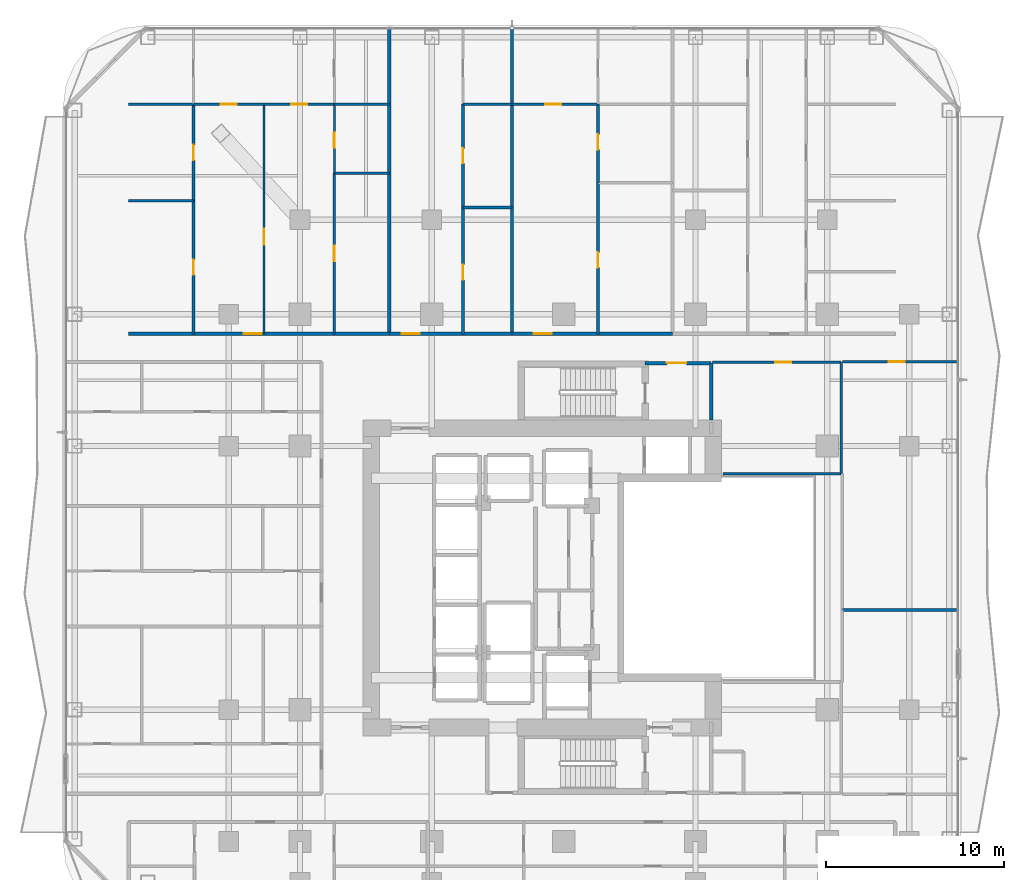
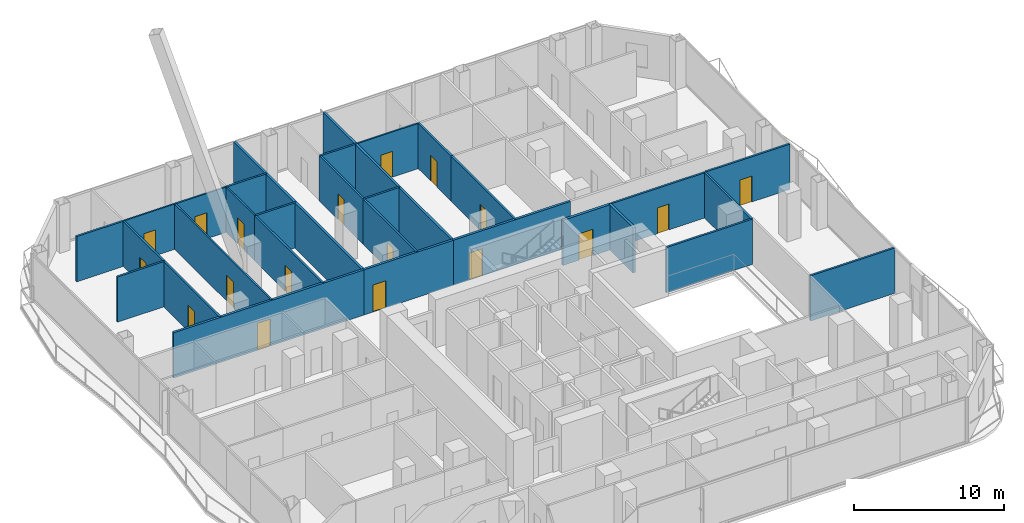
# One storey, part 22 of 28: 30 walls, 18 doors, 18 openings.
"""IFC4 building model written with IfcOpenShell, lengths in metres."""

from ifc_helpers import new_model, si_unit, direction, frame, frame_2d, origin, place, context, subcontext, project, spatial, rectangle, extrude, material, layer, layer_set, type_object, element, fill, save


model = new_model("IFC4")

# Units and contexts
model_context = context("Model", 3, precision=1e-05, world=origin(), true_north=direction((0.0, 1.0)))
body_context = subcontext(model_context, "Body", "Model", "MODEL_VIEW")
ifc_project = project(units=[si_unit("LENGTHUNIT", "METRE"), si_unit("AREAUNIT", "SQUARE_METRE"), si_unit("VOLUMEUNIT", "CUBIC_METRE"), si_unit("PLANEANGLEUNIT", "RADIAN"), si_unit("MASSUNIT", "GRAM", prefix="KILO")], contexts=[model_context])

# Site, building, storey
site_placement = place(None, origin())
site = spatial("IfcSite", under=ifc_project, at=site_placement, CompositionType="ELEMENT")
building_placement = place(site_placement, origin())
building = spatial("IfcBuilding", under=site, at=building_placement, Name="Khorvyn Point Tower", CompositionType="ELEMENT")
storey_placement = place(building_placement, frame((0.0, 0.0, 89.10009765625)))
storey = spatial("IfcBuildingStorey", under=building, at=storey_placement, Name="L22", CompositionType="ELEMENT", Elevation=89.10009765625)

# Wall, opening, door
ifc_material_1 = material(Name="Double acoustic gypsum on twin steel stud", Category="steel")
ifc_layer_1 = layer(ifc_material_1, 0.179931640625)
ifc_layer_set_1 = layer_set([ifc_layer_1], Name="Acoustic Double-Stud Apartment Demising Wall 180")
wall_type_1 = type_object("IfcWallType", Name="Acoustic Double-Stud Apartment Demising Wall 180", PredefinedType="PARTITIONING", material=ifc_layer_set_1)
wall_1_placement = place(storey_placement, frame((-24.419921875, 13.699951171875, 0.0), z_axis=(0.0, 0.0, 1.0), x_axis=(1.0, 0.0, 0.0)))
wall_1 = element("IfcWall", 1, at=wall_1_placement, inside=storey, type_object=wall_type_1, Name="Wall", PredefinedType="PARTITIONING", context=body_context, shape_type="SweptSolid", body=[
    extrude(rectangle(XDim=14.634033203125, YDim=0.179931640625, at=frame_2d((7.31689453125, 0.0))), origin(), (0.0, 0.0, 1.0), 3.679931640625),
])
opening_1_placement = place(wall_1_placement, frame((6.457275390625, 0.0, 0.0)))
opening_1 = element("IfcOpeningElement", 2, at=opening_1_placement, cuts=wall_1, Name="Opening ID-AP60", PredefinedType="OPENING", context=body_context, shape_type="SweptSolid", body=[
    extrude(rectangle(XDim=1.0, YDim=2.199951171875, at=frame_2d((0.5, 1.10009765625))), frame((0.0, 0.099853515625, 0.0), z_axis=(0.0, -1.0, 0.0), x_axis=(1.0, 0.0, 0.0)), (0.0, 0.0, 1.0), 0.199951171875),
])
ifc_material_2 = material(Name="Engineered hardwood fire-rated leaf", Category="wood")
door_type_1 = type_object("IfcDoorType", Name="Acoustic Solid-Core Timber Apartment Entrance Door 1000x2200", OperationType="NOTDEFINED", PredefinedType="DOOR", material=ifc_material_2)
door_1_placement = place(opening_1_placement, origin())
door_1 = element("IfcDoor", 3, at=door_1_placement, inside=storey, type_object=door_type_1, Name="Door", OperationType="SINGLE_SWING_RIGHT", OverallHeight=2.199951171875, OverallWidth=1.0, PredefinedType="DOOR", context=body_context, shape_type="SweptSolid", body=[
    extrude(rectangle(XDim=1.0, YDim=2.199951171875, at=frame_2d((0.5, 1.10009765625))), frame((0.0, 0.02490234375, 0.0), z_axis=(0.0, -1.0, 0.0), x_axis=(1.0, 0.0, 0.0)), (0.0, 0.0, 1.0), 0.050048828125),
])
fill(opening_1, door_1)

wall_2_placement = place(storey_placement, frame((-9.785888671875, 13.699951171875, 0.0), z_axis=(0.0, 0.0, 1.0), x_axis=(1.0, 0.0, 0.0)))
wall_2 = element("IfcWall", 4, at=wall_2_placement, inside=storey, type_object=wall_type_1, Name="Wall", PredefinedType="PARTITIONING", context=body_context, shape_type="SweptSolid", body=[
    extrude(rectangle(XDim=6.885986328125, YDim=0.179931640625, at=frame_2d((3.44287109375, 0.0))), origin(), (0.0, 0.0, 1.0), 3.679931640625),
])
opening_2_placement = place(wall_2_placement, frame((0.698486328125, 0.0, 0.0)))
opening_2 = element("IfcOpeningElement", 5, at=opening_2_placement, cuts=wall_2, Name="Opening ID-AP60", PredefinedType="OPENING", context=body_context, shape_type="SweptSolid", body=[
    extrude(rectangle(XDim=1.0, YDim=2.199951171875, at=frame_2d((0.5, 1.10009765625))), frame((0.0, 0.099853515625, 0.0), z_axis=(0.0, -1.0, 0.0), x_axis=(1.0, 0.0, 0.0)), (0.0, 0.0, 1.0), 0.199951171875),
])
door_2_placement = place(opening_2_placement, origin())
door_2 = element("IfcDoor", 6, at=door_2_placement, inside=storey, type_object=door_type_1, Name="Door", OperationType="SINGLE_SWING_RIGHT", OverallHeight=2.199951171875, OverallWidth=1.0, PredefinedType="DOOR", context=body_context, shape_type="SweptSolid", body=[
    extrude(rectangle(XDim=1.0, YDim=2.199951171875, at=frame_2d((0.5, 1.10009765625))), frame((0.0, 0.02490234375, 0.0), z_axis=(0.0, -1.0, 0.0), x_axis=(1.0, 0.0, 0.0)), (0.0, 0.0, 1.0), 0.050048828125),
])
fill(opening_2, door_2)

wall_3_placement = place(storey_placement, frame((-2.89990234375, 13.699951171875, 0.0), z_axis=(0.0, 0.0, 1.0), x_axis=(1.0, 0.0, 0.0)))
wall_3 = element("IfcWall", 7, at=wall_3_placement, inside=storey, type_object=wall_type_1, Name="Wall", PredefinedType="PARTITIONING", context=body_context, shape_type="SweptSolid", body=[
    extrude(rectangle(XDim=9.016845703125, YDim=0.179931640625, at=frame_2d((4.50830078125, 0.0))), origin(), (0.0, 0.0, 1.0), 3.679931640625),
])
opening_3_placement = place(wall_3_placement, frame((1.23388671875, 0.0, 0.0)))
opening_3 = element("IfcOpeningElement", 8, at=opening_3_placement, cuts=wall_3, Name="Opening ID-AP60", PredefinedType="OPENING", context=body_context, shape_type="SweptSolid", body=[
    extrude(rectangle(XDim=1.0, YDim=2.199951171875, at=frame_2d((0.5, 1.10009765625))), frame((0.0, 0.099853515625, 0.0), z_axis=(0.0, -1.0, 0.0), x_axis=(1.0, 0.0, 0.0)), (0.0, 0.0, 1.0), 0.199951171875),
])
door_3_placement = place(opening_3_placement, origin())
door_3 = element("IfcDoor", 9, at=door_3_placement, inside=storey, type_object=door_type_1, Name="Door", OperationType="SINGLE_SWING_RIGHT", OverallHeight=2.199951171875, OverallWidth=1.0, PredefinedType="DOOR", context=body_context, shape_type="SweptSolid", body=[
    extrude(rectangle(XDim=1.0, YDim=2.199951171875, at=frame_2d((0.5, 1.10009765625))), frame((0.0, 0.02490234375, 0.0), z_axis=(0.0, -1.0, 0.0), x_axis=(1.0, 0.0, 0.0)), (0.0, 0.0, 1.0), 0.050048828125),
])
fill(opening_3, door_3)

# Walls
for number, where, z_axis, x_axis, name in (
    (10, (-9.785888671875, 13.699951171875, 0.0), (0.0, 0.0, 1.0), (0.0, 1.0, 0.0), "Wall"),
    (11, (-2.89990234375, 13.699951171875, 0.0), (0.0, 0.0, 1.0), (0.0, 1.0, 0.0), "Wall"),
):
    element("IfcWall", number, at=place(storey_placement, frame(where, z_axis=z_axis, x_axis=x_axis)), inside=storey, type_object=wall_type_1, Name=name, PredefinedType="PARTITIONING", context=body_context, shape_type="SweptSolid", body=[
        extrude(rectangle(XDim=17.130126953125, YDim=0.179931640625, at=frame_2d((8.56494140625, 0.0))), origin(), (0.0, 0.0, 1.0), 3.679931640625),
    ])

# Wall, opening, door
ifc_material_3 = material(Name="Concrete C40/50", Category="concrete")
ifc_layer_2 = layer(ifc_material_3, 0.199951171875)
ifc_layer_set_2 = layer_set([ifc_layer_2], Name="Concrete C40/50 Fire-Lobby Compartment Wall 200")
wall_type_2 = type_object("IfcWallType", Name="Concrete C40/50 Fire-Lobby Compartment Wall 200", PredefinedType="SOLIDWALL", material=ifc_layer_set_2)
wall_4_placement = place(storey_placement, frame((4.580078125, 12.06005859375, 0.0), z_axis=(0.0, 0.0, 1.0), x_axis=(1.0, 0.0, 0.0)))
wall_4 = element("IfcWall", 12, at=wall_4_placement, inside=storey, type_object=wall_type_2, Name="Wall", PredefinedType="SOLIDWALL", context=body_context, shape_type="SweptSolid", body=[
    extrude(rectangle(XDim=3.699951171875, YDim=0.199951171875, at=frame_2d((1.85009765625, 0.0))), origin(), (0.0, 0.0, 1.0), 3.679931640625),
])
opening_4_placement = place(wall_4_placement, frame((1.21240234375, 0.0, 0.0)))
opening_4 = element("IfcOpeningElement", 13, at=opening_4_placement, cuts=wall_4, Name="Opening ID-FL90", PredefinedType="OPENING", context=body_context, shape_type="SweptSolid", body=[
    extrude(rectangle(XDim=1.10009765625, YDim=2.14990234375, at=frame_2d((0.550048828125, 1.074951171875))), frame((0.0, 0.10986328125, 0.0), z_axis=(0.0, -1.0, 0.0), x_axis=(1.0, 0.0, 0.0)), (0.0, 0.0, 1.0), 0.219970703125),
])
ifc_material_4 = material(Name="Galvanised powder-coated steel", Category="steel")
door_type_2 = type_object("IfcDoorType", Name="Fire-Rated Steel Lobby and Stair Door 1100x2150", OperationType="NOTDEFINED", PredefinedType="DOOR", material=ifc_material_4)
door_4_placement = place(opening_4_placement, origin())
door_4 = element("IfcDoor", 14, at=door_4_placement, inside=storey, type_object=door_type_2, Name="Door", OperationType="SINGLE_SWING_LEFT", OverallHeight=2.14990234375, OverallWidth=1.10009765625, PredefinedType="DOOR", context=body_context, shape_type="SweptSolid", body=[
    extrude(rectangle(XDim=1.10009765625, YDim=2.14990234375, at=frame_2d((0.550048828125, 1.074951171875))), frame((0.0, 0.02490234375, 0.0), z_axis=(0.0, -1.0, 0.0), x_axis=(1.0, 0.0, 0.0)), (0.0, 0.0, 1.0), 0.050048828125),
])
fill(opening_4, door_4)

# Wall
wall_5_placement = place(storey_placement, frame((8.280029296875, 8.875, 0.0), z_axis=(0.0, 0.0, 1.0), x_axis=(0.0, 1.0, 0.0)))
element("IfcWall", 15, at=wall_5_placement, inside=storey, type_object=wall_type_2, Name="Wall", PredefinedType="SOLIDWALL", context=body_context, shape_type="SweptSolid", body=[
    extrude(rectangle(XDim=3.18505859375, YDim=0.199951171875, at=frame_2d((1.592529296875, 0.0))), origin(), (0.0, 0.0, 1.0), 3.679931640625),
])

# Wall, opening, door
ifc_material_5 = material(Name="Gypsum plasterboard on steel stud", Category="steel")
ifc_layer_3 = layer(ifc_material_5, 0.1201171875)
ifc_layer_set_3 = layer_set([ifc_layer_3], Name="Gypsum Acoustic Stud Room Partition Wall 120")
wall_type_3 = type_object("IfcWallType", Name="Gypsum Acoustic Stud Room Partition Wall 120", PredefinedType="PARTITIONING", material=ifc_layer_set_3)
wall_6_placement = place(storey_placement, frame((-20.779052734375, 26.590087890625, 0.0), z_axis=(0.0, 0.0, 1.0), x_axis=(1.0, 0.0, 0.0)))
wall_6 = element("IfcWall", 16, at=wall_6_placement, inside=storey, type_object=wall_type_3, Name="Wall", PredefinedType="PARTITIONING", context=body_context, shape_type="SweptSolid", body=[
    extrude(rectangle(XDim=3.953125, YDim=0.1201171875, at=frame_2d((1.9765625, 0.0))), origin(), (0.0, 0.0, 1.0), 3.679931640625),
])
opening_5_placement = place(wall_6_placement, frame((1.526611328125, 0.0, 0.0)))
opening_5 = element("IfcOpeningElement", 17, at=opening_5_placement, cuts=wall_6, Name="Opening ID-RM90", PredefinedType="OPENING", context=body_context, shape_type="SweptSolid", body=[
    extrude(rectangle(XDim=0.89990234375, YDim=2.10009765625, at=frame_2d((0.449951171875, 1.050048828125))), frame((0.0, 0.070068359375, 0.0), z_axis=(0.0, -1.0, 0.0), x_axis=(1.0, 0.0, 0.0)), (0.0, 0.0, 1.0), 0.14013671875),
])
ifc_material_6 = material(Name="Engineered oak veneer timber", Category="wood")
door_type_3 = type_object("IfcDoorType", Name="Flush Engineered Timber Room Door 900x2100", OperationType="NOTDEFINED", PredefinedType="DOOR", material=ifc_material_6)
door_5_placement = place(opening_5_placement, origin())
door_5 = element("IfcDoor", 18, at=door_5_placement, inside=storey, type_object=door_type_3, Name="Door", OperationType="SINGLE_SWING_LEFT", OverallHeight=2.10009765625, OverallWidth=0.89990234375, PredefinedType="DOOR", context=body_context, shape_type="SweptSolid", body=[
    extrude(rectangle(XDim=0.89990234375, YDim=2.10009765625, at=frame_2d((0.449951171875, 1.050048828125))), frame((0.0, 0.02490234375, 0.0), z_axis=(0.0, -1.0, 0.0), x_axis=(1.0, 0.0, 0.0)), (0.0, 0.0, 1.0), 0.050048828125),
])
fill(opening_5, door_5)

wall_7_placement = place(storey_placement, frame((-16.825927734375, 26.590087890625, 0.0), z_axis=(0.0, 0.0, 1.0), x_axis=(1.0, 0.0, 0.0)))
wall_7 = element("IfcWall", 19, at=wall_7_placement, inside=storey, type_object=wall_type_3, Name="Wall", PredefinedType="PARTITIONING", context=body_context, shape_type="SweptSolid", body=[
    extrude(rectangle(XDim=3.952880859375, YDim=0.1201171875, at=frame_2d((1.9765625, 0.0))), origin(), (0.0, 0.0, 1.0), 3.679931640625),
])
opening_6_placement = place(wall_7_placement, frame((1.526611328125, 0.0, 0.0)))
opening_6 = element("IfcOpeningElement", 20, at=opening_6_placement, cuts=wall_7, Name="Opening ID-RM90", PredefinedType="OPENING", context=body_context, shape_type="SweptSolid", body=[
    extrude(rectangle(XDim=0.89990234375, YDim=2.10009765625, at=frame_2d((0.449951171875, 1.050048828125))), frame((0.0, 0.070068359375, 0.0), z_axis=(0.0, -1.0, 0.0), x_axis=(1.0, 0.0, 0.0)), (0.0, 0.0, 1.0), 0.14013671875),
])
door_6_placement = place(opening_6_placement, origin())
door_6 = element("IfcDoor", 21, at=door_6_placement, inside=storey, type_object=door_type_3, Name="Door", OperationType="SINGLE_SWING_RIGHT", OverallHeight=2.10009765625, OverallWidth=0.89990234375, PredefinedType="DOOR", context=body_context, shape_type="SweptSolid", body=[
    extrude(rectangle(XDim=0.89990234375, YDim=2.10009765625, at=frame_2d((0.449951171875, 1.050048828125))), frame((0.0, 0.02490234375, 0.0), z_axis=(0.0, -1.0, 0.0), x_axis=(1.0, 0.0, 0.0)), (0.0, 0.0, 1.0), 0.050048828125),
])
fill(opening_6, door_6)

wall_8_placement = place(storey_placement, frame((-16.825927734375, 13.699951171875, 0.0), z_axis=(0.0, 0.0, 1.0), x_axis=(0.0, 1.0, 0.0)))
wall_8 = element("IfcWall", 22, at=wall_8_placement, inside=storey, type_object=wall_type_3, Name="Wall", PredefinedType="PARTITIONING", context=body_context, shape_type="SweptSolid", body=[
    extrude(rectangle(XDim=12.89013671875, YDim=0.1201171875, at=frame_2d((6.445068359375, 0.0))), origin(), (0.0, 0.0, 1.0), 3.679931640625),
])
opening_7_placement = place(wall_8_placement, frame((5.007568359375, 0.0, 0.0)))
opening_7 = element("IfcOpeningElement", 23, at=opening_7_placement, cuts=wall_8, Name="Opening ID-RM90", PredefinedType="OPENING", context=body_context, shape_type="SweptSolid", body=[
    extrude(rectangle(XDim=0.89990234375, YDim=2.10009765625, at=frame_2d((0.449951171875, 1.050048828125))), frame((0.0, 0.070068359375, 0.0), z_axis=(0.0, -1.0, 0.0), x_axis=(1.0, 0.0, 0.0)), (0.0, 0.0, 1.0), 0.14013671875),
])
door_7_placement = place(opening_7_placement, origin())
door_7 = element("IfcDoor", 24, at=door_7_placement, inside=storey, type_object=door_type_3, Name="Door", OperationType="SINGLE_SWING_LEFT", OverallHeight=2.10009765625, OverallWidth=0.89990234375, PredefinedType="DOOR", context=body_context, shape_type="SweptSolid", body=[
    extrude(rectangle(XDim=0.89990234375, YDim=2.10009765625, at=frame_2d((0.449951171875, 1.050048828125))), frame((0.0, 0.02490234375, 0.0), z_axis=(0.0, -1.0, 0.0), x_axis=(1.0, 0.0, 0.0)), (0.0, 0.0, 1.0), 0.050048828125),
])
fill(opening_7, door_7)

wall_9_placement = place(storey_placement, frame((-12.873046875, 22.722900390625, 0.0), z_axis=(0.0, 0.0, 1.0), x_axis=(0.0, 1.0, 0.0)))
wall_9 = element("IfcWall", 25, at=wall_9_placement, inside=storey, type_object=wall_type_3, Name="Wall", PredefinedType="PARTITIONING", context=body_context, shape_type="SweptSolid", body=[
    extrude(rectangle(XDim=3.8671875, YDim=0.1201171875, at=frame_2d((1.93359375, 0.0))), origin(), (0.0, 0.0, 1.0), 3.679931640625),
])
opening_8_placement = place(wall_9_placement, frame((1.418701171875, 0.0, 0.0)))
opening_8 = element("IfcOpeningElement", 26, at=opening_8_placement, cuts=wall_9, Name="Opening ID-WC85", PredefinedType="OPENING", context=body_context, shape_type="SweptSolid", body=[
    extrude(rectangle(XDim=0.85009765625, YDim=2.10009765625, at=frame_2d((0.425048828125, 1.050048828125))), frame((0.0, 0.070068359375, 0.0), z_axis=(0.0, -1.0, 0.0), x_axis=(1.0, 0.0, 0.0)), (0.0, 0.0, 1.0), 0.14013671875),
])
ifc_material_7 = material(Name="High-pressure laminate on moisture-resistant core", Category="wood")
door_type_4 = type_object("IfcDoorType", Name="Moisture-Resistant Accessible Washroom Door 850x2100", OperationType="NOTDEFINED", PredefinedType="DOOR", material=ifc_material_7)
door_8_placement = place(opening_8_placement, origin())
door_8 = element("IfcDoor", 27, at=door_8_placement, inside=storey, type_object=door_type_4, Name="Door", OperationType="SINGLE_SWING_RIGHT", OverallHeight=2.10009765625, OverallWidth=0.85009765625, PredefinedType="DOOR", context=body_context, shape_type="SweptSolid", body=[
    extrude(rectangle(XDim=0.85009765625, YDim=2.10009765625, at=frame_2d((0.425048828125, 1.050048828125))), frame((0.0, 0.02490234375, 0.0), z_axis=(0.0, -1.0, 0.0), x_axis=(1.0, 0.0, 0.0)), (0.0, 0.0, 1.0), 0.050048828125),
])
fill(opening_8, door_8)

wall_10_placement = place(storey_placement, frame((-2.89990234375, 26.590087890625, 0.0), z_axis=(0.0, 0.0, 1.0), x_axis=(1.0, 0.0, 0.0)))
wall_10 = element("IfcWall", 28, at=wall_10_placement, inside=storey, type_object=wall_type_3, Name="Wall", PredefinedType="PARTITIONING", context=body_context, shape_type="SweptSolid", body=[
    extrude(rectangle(XDim=4.827880859375, YDim=0.1201171875, at=frame_2d((2.4140625, 0.0))), origin(), (0.0, 0.0, 1.0), 3.679931640625),
])
opening_9_placement = place(wall_10_placement, frame((1.878173828125, 0.0, 0.0)))
opening_9 = element("IfcOpeningElement", 29, at=opening_9_placement, cuts=wall_10, Name="Opening ID-RM90", PredefinedType="OPENING", context=body_context, shape_type="SweptSolid", body=[
    extrude(rectangle(XDim=0.89990234375, YDim=2.10009765625, at=frame_2d((0.449951171875, 1.050048828125))), frame((0.0, 0.070068359375, 0.0), z_axis=(0.0, -1.0, 0.0), x_axis=(1.0, 0.0, 0.0)), (0.0, 0.0, 1.0), 0.14013671875),
])
door_9_placement = place(opening_9_placement, origin())
door_9 = element("IfcDoor", 30, at=door_9_placement, inside=storey, type_object=door_type_3, Name="Door", OperationType="SINGLE_SWING_LEFT", OverallHeight=2.10009765625, OverallWidth=0.89990234375, PredefinedType="DOOR", context=body_context, shape_type="SweptSolid", body=[
    extrude(rectangle(XDim=0.89990234375, YDim=2.10009765625, at=frame_2d((0.449951171875, 1.050048828125))), frame((0.0, 0.02490234375, 0.0), z_axis=(0.0, -1.0, 0.0), x_axis=(1.0, 0.0, 0.0)), (0.0, 0.0, 1.0), 0.050048828125),
])
fill(opening_9, door_9)

ifc_material_8 = material(Name="Moisture-resistant gypsum and cement board", Category="gypsum")
ifc_layer_4 = layer(ifc_material_8, 0.14990234375)
ifc_layer_set_4 = layer_set([ifc_layer_4], Name="Moisture-Resistant Wet-Room Partition Wall 150")
wall_type_4 = type_object("IfcWallType", Name="Moisture-Resistant Wet-Room Partition Wall 150", PredefinedType="PARTITIONING", material=ifc_layer_set_4)
wall_11_placement = place(storey_placement, frame((8.360107421875, 12.10009765625, 0.0), z_axis=(0.0, 0.0, 1.0), x_axis=(1.0, 0.0, 0.0)))
wall_11 = element("IfcWall", 31, at=wall_11_placement, inside=storey, type_object=wall_type_4, Name="Wall", PredefinedType="PARTITIONING", context=body_context, shape_type="SweptSolid", body=[
    extrude(rectangle(XDim=7.219970703125, YDim=0.14990234375, at=frame_2d((3.60986328125, 0.0))), origin(), (0.0, 0.0, 1.0), 3.679931640625),
])
opening_10_placement = place(wall_11_placement, frame((3.512939453125, 0.0, 0.0)))
opening_10 = element("IfcOpeningElement", 32, at=opening_10_placement, cuts=wall_11, Name="Opening ID-RM90", PredefinedType="OPENING", context=body_context, shape_type="SweptSolid", body=[
    extrude(rectangle(XDim=0.89990234375, YDim=2.10009765625, at=frame_2d((0.449951171875, 1.050048828125))), frame((0.0, 0.0849609375, 0.0), z_axis=(0.0, -1.0, 0.0), x_axis=(1.0, 0.0, 0.0)), (0.0, 0.0, 1.0), 0.169921875),
])
door_10_placement = place(opening_10_placement, origin())
door_10 = element("IfcDoor", 33, at=door_10_placement, inside=storey, type_object=door_type_3, Name="Door", OperationType="SINGLE_SWING_LEFT", OverallHeight=2.10009765625, OverallWidth=0.89990234375, PredefinedType="DOOR", context=body_context, shape_type="SweptSolid", body=[
    extrude(rectangle(XDim=0.89990234375, YDim=2.10009765625, at=frame_2d((0.449951171875, 1.050048828125))), frame((0.0, 0.02490234375, 0.0), z_axis=(0.0, -1.0, 0.0), x_axis=(1.0, 0.0, 0.0)), (0.0, 0.0, 1.0), 0.050048828125),
])
fill(opening_10, door_10)

wall_12_placement = place(storey_placement, frame((-20.779052734375, 13.699951171875, 0.0), z_axis=(0.0, 0.0, 1.0), x_axis=(0.0, 1.0, 0.0)))
wall_12 = element("IfcWall", 34, at=wall_12_placement, inside=storey, type_object=wall_type_4, Name="Wall", PredefinedType="PARTITIONING", context=body_context, shape_type="SweptSolid", body=[
    extrude(rectangle(XDim=7.47607421875, YDim=0.14990234375, at=frame_2d((3.738037109375, 0.0))), origin(), (0.0, 0.0, 1.0), 3.679931640625),
])
opening_11_placement = place(wall_12_placement, frame((3.31298828125, 0.0, 0.0)))
opening_11 = element("IfcOpeningElement", 35, at=opening_11_placement, cuts=wall_12, Name="Opening ID-WC85", PredefinedType="OPENING", context=body_context, shape_type="SweptSolid", body=[
    extrude(rectangle(XDim=0.85009765625, YDim=2.10009765625, at=frame_2d((0.425048828125, 1.050048828125))), frame((0.0, 0.0849609375, 0.0), z_axis=(0.0, -1.0, 0.0), x_axis=(1.0, 0.0, 0.0)), (0.0, 0.0, 1.0), 0.169921875),
])
door_11_placement = place(opening_11_placement, origin())
door_11 = element("IfcDoor", 36, at=door_11_placement, inside=storey, type_object=door_type_4, Name="Door", OperationType="SINGLE_SWING_RIGHT", OverallHeight=2.10009765625, OverallWidth=0.85009765625, PredefinedType="DOOR", context=body_context, shape_type="SweptSolid", body=[
    extrude(rectangle(XDim=0.85009765625, YDim=2.10009765625, at=frame_2d((0.425048828125, 1.050048828125))), frame((0.0, 0.02490234375, 0.0), z_axis=(0.0, -1.0, 0.0), x_axis=(1.0, 0.0, 0.0)), (0.0, 0.0, 1.0), 0.050048828125),
])
fill(opening_11, door_11)

wall_13_placement = place(storey_placement, frame((-20.779052734375, 21.176025390625, 0.0), z_axis=(0.0, 0.0, 1.0), x_axis=(0.0, 1.0, 0.0)))
wall_13 = element("IfcWall", 37, at=wall_13_placement, inside=storey, type_object=wall_type_4, Name="Wall", PredefinedType="PARTITIONING", context=body_context, shape_type="SweptSolid", body=[
    extrude(rectangle(XDim=5.4140625, YDim=0.14990234375, at=frame_2d((2.70703125, 0.0))), origin(), (0.0, 0.0, 1.0), 3.679931640625),
])
opening_12_placement = place(wall_13_placement, frame((2.281982421875, 0.0, 0.0)))
opening_12 = element("IfcOpeningElement", 38, at=opening_12_placement, cuts=wall_13, Name="Opening ID-WC85", PredefinedType="OPENING", context=body_context, shape_type="SweptSolid", body=[
    extrude(rectangle(XDim=0.85009765625, YDim=2.10009765625, at=frame_2d((0.425048828125, 1.050048828125))), frame((0.0, 0.0849609375, 0.0), z_axis=(0.0, -1.0, 0.0), x_axis=(1.0, 0.0, 0.0)), (0.0, 0.0, 1.0), 0.169921875),
])
door_12_placement = place(opening_12_placement, origin())
door_12 = element("IfcDoor", 39, at=door_12_placement, inside=storey, type_object=door_type_4, Name="Door", OperationType="SINGLE_SWING_LEFT", OverallHeight=2.10009765625, OverallWidth=0.85009765625, PredefinedType="DOOR", context=body_context, shape_type="SweptSolid", body=[
    extrude(rectangle(XDim=0.85009765625, YDim=2.10009765625, at=frame_2d((0.425048828125, 1.050048828125))), frame((0.0, 0.02490234375, 0.0), z_axis=(0.0, -1.0, 0.0), x_axis=(1.0, 0.0, 0.0)), (0.0, 0.0, 1.0), 0.050048828125),
])
fill(opening_12, door_12)

wall_14_placement = place(storey_placement, frame((-12.873046875, 13.699951171875, 0.0), z_axis=(0.0, 0.0, 1.0), x_axis=(0.0, 1.0, 0.0)))
wall_14 = element("IfcWall", 40, at=wall_14_placement, inside=storey, type_object=wall_type_4, Name="Wall", PredefinedType="PARTITIONING", context=body_context, shape_type="SweptSolid", body=[
    extrude(rectangle(XDim=9.02294921875, YDim=0.14990234375, at=frame_2d((4.511474609375, 0.0))), origin(), (0.0, 0.0, 1.0), 3.679931640625),
])
opening_13_placement = place(wall_14_placement, frame((4.08642578125, 0.0, 0.0)))
opening_13 = element("IfcOpeningElement", 41, at=opening_13_placement, cuts=wall_14, Name="Opening ID-WC85", PredefinedType="OPENING", context=body_context, shape_type="SweptSolid", body=[
    extrude(rectangle(XDim=0.85009765625, YDim=2.10009765625, at=frame_2d((0.425048828125, 1.050048828125))), frame((0.0, 0.0849609375, 0.0), z_axis=(0.0, -1.0, 0.0), x_axis=(1.0, 0.0, 0.0)), (0.0, 0.0, 1.0), 0.169921875),
])
door_13_placement = place(opening_13_placement, origin())
door_13 = element("IfcDoor", 42, at=door_13_placement, inside=storey, type_object=door_type_4, Name="Door", OperationType="SINGLE_SWING_LEFT", OverallHeight=2.10009765625, OverallWidth=0.85009765625, PredefinedType="DOOR", context=body_context, shape_type="SweptSolid", body=[
    extrude(rectangle(XDim=0.85009765625, YDim=2.10009765625, at=frame_2d((0.425048828125, 1.050048828125))), frame((0.0, 0.02490234375, 0.0), z_axis=(0.0, -1.0, 0.0), x_axis=(1.0, 0.0, 0.0)), (0.0, 0.0, 1.0), 0.050048828125),
])
fill(opening_13, door_13)

wall_15_placement = place(storey_placement, frame((-5.64990234375, 13.699951171875, 0.0), z_axis=(0.0, 0.0, 1.0), x_axis=(0.0, 1.0, 0.0)))
wall_15 = element("IfcWall", 43, at=wall_15_placement, inside=storey, type_object=wall_type_4, Name="Wall", PredefinedType="PARTITIONING", context=body_context, shape_type="SweptSolid", body=[
    extrude(rectangle(XDim=7.090087890625, YDim=0.14990234375, at=frame_2d((3.544921875, 0.0))), origin(), (0.0, 0.0, 1.0), 3.679931640625),
])
opening_14_placement = place(wall_15_placement, frame((3.0302734375, 0.0, 0.0)))
opening_14 = element("IfcOpeningElement", 44, at=opening_14_placement, cuts=wall_15, Name="Opening ID-WC85", PredefinedType="OPENING", context=body_context, shape_type="SweptSolid", body=[
    extrude(rectangle(XDim=0.85009765625, YDim=2.10009765625, at=frame_2d((0.425048828125, 1.050048828125))), frame((0.0, 0.0849609375, 0.0), z_axis=(0.0, -1.0, 0.0), x_axis=(1.0, 0.0, 0.0)), (0.0, 0.0, 1.0), 0.169921875),
])
door_14_placement = place(opening_14_placement, origin())
door_14 = element("IfcDoor", 45, at=door_14_placement, inside=storey, type_object=door_type_4, Name="Door", OperationType="SINGLE_SWING_LEFT", OverallHeight=2.10009765625, OverallWidth=0.85009765625, PredefinedType="DOOR", context=body_context, shape_type="SweptSolid", body=[
    extrude(rectangle(XDim=0.85009765625, YDim=2.10009765625, at=frame_2d((0.425048828125, 1.050048828125))), frame((0.0, 0.02490234375, 0.0), z_axis=(0.0, -1.0, 0.0), x_axis=(1.0, 0.0, 0.0)), (0.0, 0.0, 1.0), 0.050048828125),
])
fill(opening_14, door_14)

wall_16_placement = place(storey_placement, frame((-5.64990234375, 20.7900390625, 0.0), z_axis=(0.0, 0.0, 1.0), x_axis=(0.0, 1.0, 0.0)))
wall_16 = element("IfcWall", 46, at=wall_16_placement, inside=storey, type_object=wall_type_4, Name="Wall", PredefinedType="PARTITIONING", context=body_context, shape_type="SweptSolid", body=[
    extrude(rectangle(XDim=5.800048828125, YDim=0.14990234375, at=frame_2d((2.89990234375, 0.0))), origin(), (0.0, 0.0, 1.0), 3.679931640625),
])
opening_15_placement = place(wall_16_placement, frame((2.47509765625, 0.0, 0.0)))
opening_15 = element("IfcOpeningElement", 47, at=opening_15_placement, cuts=wall_16, Name="Opening ID-WC85", PredefinedType="OPENING", context=body_context, shape_type="SweptSolid", body=[
    extrude(rectangle(XDim=0.85009765625, YDim=2.10009765625, at=frame_2d((0.425048828125, 1.050048828125))), frame((0.0, 0.0849609375, 0.0), z_axis=(0.0, -1.0, 0.0), x_axis=(1.0, 0.0, 0.0)), (0.0, 0.0, 1.0), 0.169921875),
])
door_15_placement = place(opening_15_placement, origin())
door_15 = element("IfcDoor", 48, at=door_15_placement, inside=storey, type_object=door_type_4, Name="Door", OperationType="SINGLE_SWING_RIGHT", OverallHeight=2.10009765625, OverallWidth=0.85009765625, PredefinedType="DOOR", context=body_context, shape_type="SweptSolid", body=[
    extrude(rectangle(XDim=0.85009765625, YDim=2.10009765625, at=frame_2d((0.425048828125, 1.050048828125))), frame((0.0, 0.02490234375, 0.0), z_axis=(0.0, -1.0, 0.0), x_axis=(1.0, 0.0, 0.0)), (0.0, 0.0, 1.0), 0.050048828125),
])
fill(opening_15, door_15)

wall_17_placement = place(storey_placement, frame((1.927978515625, 13.699951171875, 0.0), z_axis=(0.0, 0.0, 1.0), x_axis=(0.0, 1.0, 0.0)))
wall_17 = element("IfcWall", 49, at=wall_17_placement, inside=storey, type_object=wall_type_4, Name="Wall", PredefinedType="PARTITIONING", context=body_context, shape_type="SweptSolid", body=[
    extrude(rectangle(XDim=8.47412109375, YDim=0.14990234375, at=frame_2d((4.237060546875, 0.0))), origin(), (0.0, 0.0, 1.0), 3.679931640625),
])
opening_16_placement = place(wall_17_placement, frame((3.722900390625, 0.0, 0.0)))
opening_16 = element("IfcOpeningElement", 50, at=opening_16_placement, cuts=wall_17, Name="Opening ID-WC85", PredefinedType="OPENING", context=body_context, shape_type="SweptSolid", body=[
    extrude(rectangle(XDim=0.85009765625, YDim=2.10009765625, at=frame_2d((0.425048828125, 1.050048828125))), frame((0.0, 0.0849609375, 0.0), z_axis=(0.0, -1.0, 0.0), x_axis=(1.0, 0.0, 0.0)), (0.0, 0.0, 1.0), 0.169921875),
])
door_16_placement = place(opening_16_placement, origin())
door_16 = element("IfcDoor", 51, at=door_16_placement, inside=storey, type_object=door_type_4, Name="Door", OperationType="SINGLE_SWING_RIGHT", OverallHeight=2.10009765625, OverallWidth=0.85009765625, PredefinedType="DOOR", context=body_context, shape_type="SweptSolid", body=[
    extrude(rectangle(XDim=0.85009765625, YDim=2.10009765625, at=frame_2d((0.425048828125, 1.050048828125))), frame((0.0, 0.02490234375, 0.0), z_axis=(0.0, -1.0, 0.0), x_axis=(1.0, 0.0, 0.0)), (0.0, 0.0, 1.0), 0.050048828125),
])
fill(opening_16, door_16)

wall_18_placement = place(storey_placement, frame((1.927978515625, 22.174072265625, 0.0), z_axis=(0.0, 0.0, 1.0), x_axis=(0.0, 1.0, 0.0)))
wall_18 = element("IfcWall", 52, at=wall_18_placement, inside=storey, type_object=wall_type_4, Name="Wall", PredefinedType="PARTITIONING", context=body_context, shape_type="SweptSolid", body=[
    extrude(rectangle(XDim=4.416015625, YDim=0.14990234375, at=frame_2d((2.2080078125, 0.0))), origin(), (0.0, 0.0, 1.0), 3.679931640625),
])
opening_17_placement = place(wall_18_placement, frame((1.868408203125, 0.0, 0.0)))
opening_17 = element("IfcOpeningElement", 53, at=opening_17_placement, cuts=wall_18, Name="Opening ID-WC85", PredefinedType="OPENING", context=body_context, shape_type="SweptSolid", body=[
    extrude(rectangle(XDim=0.85009765625, YDim=2.10009765625, at=frame_2d((0.425048828125, 1.050048828125))), frame((0.0, 0.0849609375, 0.0), z_axis=(0.0, -1.0, 0.0), x_axis=(1.0, 0.0, 0.0)), (0.0, 0.0, 1.0), 0.169921875),
])
door_17_placement = place(opening_17_placement, origin())
door_17 = element("IfcDoor", 54, at=door_17_placement, inside=storey, type_object=door_type_4, Name="Door", OperationType="SINGLE_SWING_LEFT", OverallHeight=2.10009765625, OverallWidth=0.85009765625, PredefinedType="DOOR", context=body_context, shape_type="SweptSolid", body=[
    extrude(rectangle(XDim=0.85009765625, YDim=2.10009765625, at=frame_2d((0.425048828125, 1.050048828125))), frame((0.0, 0.02490234375, 0.0), z_axis=(0.0, -1.0, 0.0), x_axis=(1.0, 0.0, 0.0)), (0.0, 0.0, 1.0), 0.050048828125),
])
fill(opening_17, door_17)

wall_19_placement = place(storey_placement, frame((15.64990234375, 12.139892578125, 0.0), z_axis=(0.0, 0.0, 1.0), x_axis=(1.0, 0.0, 0.0)))
wall_19 = element("IfcWall", 55, at=wall_19_placement, inside=storey, type_object=wall_type_4, Name="Wall", PredefinedType="PARTITIONING", context=body_context, shape_type="SweptSolid", body=[
    extrude(rectangle(XDim=6.47021484375, YDim=0.14990234375, at=frame_2d((3.235107421875, 0.0))), origin(), (0.0, 0.0, 1.0), 3.679931640625),
])
opening_18_placement = place(wall_19_placement, frame((2.610107421875, 0.0, 0.0)))
opening_18 = element("IfcOpeningElement", 56, at=opening_18_placement, cuts=wall_19, Name="Opening ID-RM90", PredefinedType="OPENING", context=body_context, shape_type="SweptSolid", body=[
    extrude(rectangle(XDim=0.89990234375, YDim=2.10009765625, at=frame_2d((0.449951171875, 1.050048828125))), frame((0.0, 0.0849609375, 0.0), z_axis=(0.0, -1.0, 0.0), x_axis=(1.0, 0.0, 0.0)), (0.0, 0.0, 1.0), 0.169921875),
])
door_18_placement = place(opening_18_placement, origin())
door_18 = element("IfcDoor", 57, at=door_18_placement, inside=storey, type_object=door_type_3, Name="Door", OperationType="SINGLE_SWING_LEFT", OverallHeight=2.10009765625, OverallWidth=0.89990234375, PredefinedType="DOOR", context=body_context, shape_type="SweptSolid", body=[
    extrude(rectangle(XDim=0.89990234375, YDim=2.10009765625, at=frame_2d((0.449951171875, 1.050048828125))), frame((0.0, 0.02490234375, 0.0), z_axis=(0.0, -1.0, 0.0), x_axis=(1.0, 0.0, 0.0)), (0.0, 0.0, 1.0), 0.050048828125),
])
fill(opening_18, door_18)

# Walls
wall_20_placement = place(storey_placement, frame((15.580078125, 5.85009765625, 0.0), z_axis=(0.0, 0.0, 1.0), x_axis=(0.0, 1.0, 0.0)))
element("IfcWall", 58, at=wall_20_placement, inside=storey, type_object=wall_type_4, Name="Wall", PredefinedType="PARTITIONING", context=body_context, shape_type="SweptSolid", body=[
    extrude(rectangle(XDim=6.25, YDim=0.14990234375, at=frame_2d((3.125, 0.0))), origin(), (0.0, 0.0, 1.0), 3.679931640625),
])
wall_21_placement = place(storey_placement, frame((8.9599609375, 5.85009765625, 0.0), z_axis=(0.0, 0.0, 1.0), x_axis=(1.0, 0.0, 0.0)))
element("IfcWall", 59, at=wall_21_placement, inside=storey, type_object=wall_type_4, Name="Wall", PredefinedType="PARTITIONING", context=body_context, shape_type="SweptSolid", body=[
    extrude(rectangle(XDim=6.6201171875, YDim=0.14990234375, at=frame_2d((3.31005859375, 0.0))), origin(), (0.0, 0.0, 1.0), 3.679931640625),
])
for number, where, z_axis, x_axis, name in (
    (60, (-24.419921875, 21.176025390625, 0.0), (0.0, 0.0, 1.0), (1.0, 0.0, 0.0), "Wall"),
    (61, (-24.419921875, 26.590087890625, 0.0), (0.0, 0.0, 1.0), (1.0, 0.0, 0.0), "Wall"),
):
    element("IfcWall", number, at=place(storey_placement, frame(where, z_axis=z_axis, x_axis=x_axis)), inside=storey, type_object=wall_type_4, Name=name, PredefinedType="PARTITIONING", context=body_context, shape_type="SweptSolid", body=[
        extrude(rectangle(XDim=3.640869140625, YDim=0.14990234375, at=frame_2d((1.8203125, 0.0))), origin(), (0.0, 0.0, 1.0), 3.679931640625),
    ])
for number, where, z_axis, x_axis, name in (
    (62, (-12.873046875, 22.722900390625, 0.0), (0.0, 0.0, 1.0), (1.0, 0.0, 0.0), "Wall"),
    (63, (-12.873046875, 26.590087890625, 0.0), (0.0, 0.0, 1.0), (1.0, 0.0, 0.0), "Wall"),
):
    element("IfcWall", number, at=place(storey_placement, frame(where, z_axis=z_axis, x_axis=x_axis)), inside=storey, type_object=wall_type_4, Name=name, PredefinedType="PARTITIONING", context=body_context, shape_type="SweptSolid", body=[
        extrude(rectangle(XDim=3.087158203125, YDim=0.14990234375, at=frame_2d((1.54345703125, 0.0))), origin(), (0.0, 0.0, 1.0), 3.679931640625),
    ])
for number, where, z_axis, x_axis, name in (
    (64, (-5.64990234375, 20.7900390625, 0.0), (0.0, 0.0, 1.0), (1.0, 0.0, 0.0), "Wall"),
    (65, (-5.64990234375, 26.590087890625, 0.0), (0.0, 0.0, 1.0), (1.0, 0.0, 0.0), "Wall"),
):
    element("IfcWall", number, at=place(storey_placement, frame(where, z_axis=z_axis, x_axis=x_axis)), inside=storey, type_object=wall_type_4, Name=name, PredefinedType="PARTITIONING", context=body_context, shape_type="SweptSolid", body=[
        extrude(rectangle(XDim=2.75, YDim=0.14990234375, at=frame_2d((1.375, 0.0))), origin(), (0.0, 0.0, 1.0), 3.679931640625),
    ])
wall_22_placement = place(storey_placement, frame((15.64990234375, -1.800048828125, 0.0), z_axis=(0.0, 0.0, 1.0), x_axis=(1.0, 0.0, 0.0)))
element("IfcWall", 66, at=wall_22_placement, inside=storey, type_object=wall_type_4, Name="Wall", PredefinedType="PARTITIONING", context=body_context, shape_type="SweptSolid", body=[
    extrude(rectangle(XDim=6.47998046875, YDim=0.14990234375, at=frame_2d((3.239990234375, 0.0))), origin(), (0.0, 0.0, 1.0), 3.679931640625),
])

save(model, "model.ifc")
